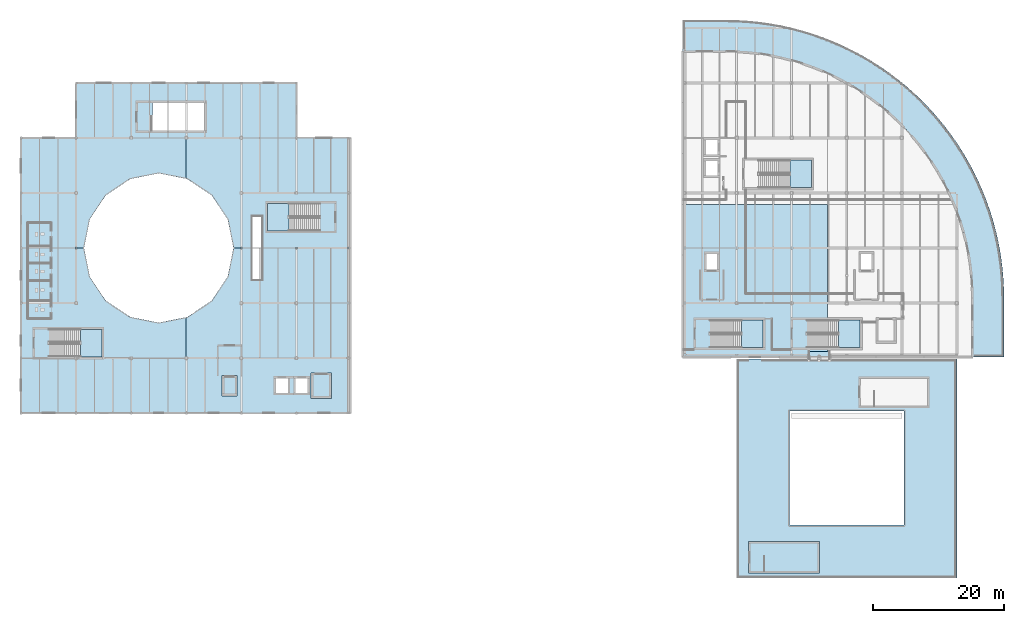
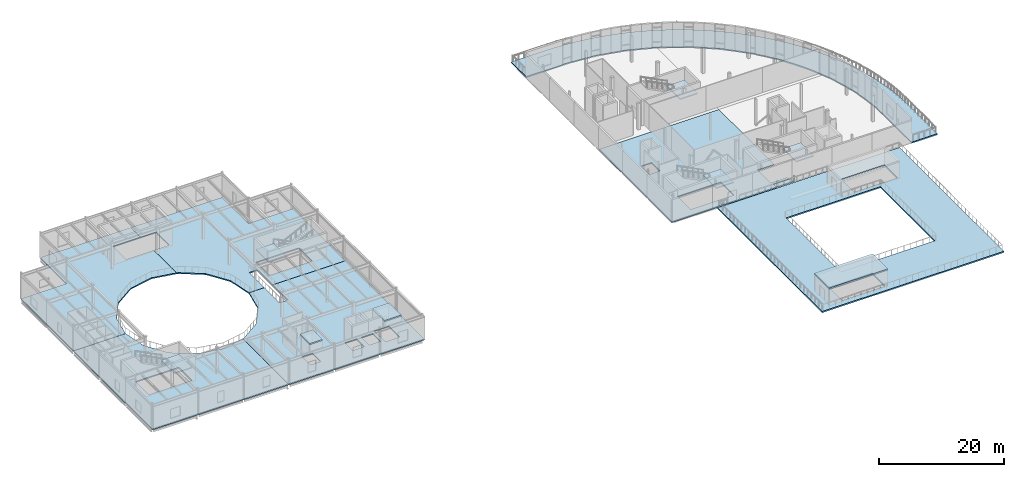
# One storey, part 30 of 57: 16 slabs, 5 elements without a shape of their own.
"""IFC4 building model written with IfcOpenShell, lengths in metres."""

from ifc_helpers import new_model, si_unit, direction, frame, origin, place, context, subcontext, project, spatial, polyline, outline, extrude, material, layer, layer_set, type_object, element, aggregate, save


model = new_model("IFC4")

# Units and contexts
model_context = context("Model", 3, precision=1e-05, world=origin(), true_north=direction((0.0, 1.0)))
body_context = subcontext(model_context, "Body", "Model", "MODEL_VIEW")
ifc_project = project(units=[si_unit("LENGTHUNIT", "METRE"), si_unit("AREAUNIT", "SQUARE_METRE"), si_unit("VOLUMEUNIT", "CUBIC_METRE"), si_unit("PLANEANGLEUNIT", "RADIAN"), si_unit("MASSUNIT", "GRAM", prefix="KILO"), si_unit("THERMODYNAMICTEMPERATUREUNIT", "KELVIN")], contexts=[model_context])

# Site, building, storey
site_placement = place(None, origin())
site = spatial("IfcSite", under=ifc_project, at=site_placement, CompositionType="ELEMENT")
building_placement = place(site_placement, origin())
building = spatial("IfcBuilding", under=site, at=building_placement, Name="Lustrewick Department Store", CompositionType="ELEMENT")
storey_placement = place(building_placement, frame((0.0, 0.0, 26.699951171875)))
storey = spatial("IfcBuildingStorey", under=building, at=storey_placement, Name="L06", CompositionType="ELEMENT", Elevation=26.699951171875)

# Slabs
ifc_material_1 = material(Name="Concrete C30", Category="concrete")
ifc_layer_1 = layer(ifc_material_1, 0.22509765625, Name="Concrete C30")
ifc_layer_set_1 = layer_set([ifc_layer_1], Name="Concrete C30")
slab_type_1 = type_object("IfcSlabType", Name="FS06", PredefinedType="FLOOR", material=ifc_layer_set_1)
slab_1_placement = place(storey_placement, frame((0.0, 0.0, -0.224853515625)))
element("IfcSlab", 1, at=slab_1_placement, inside=storey, type_object=slab_type_1, Name="L06 V1 Floor Slab FS06", PredefinedType="FLOOR", context=body_context, shape_type="SweptSolid", body=[
    extrude(outline(polyline([(8.39990234375, 42.0), (33.52490234375, 42.0), (33.52490234375, 56.62060546875), (29.39990234375, 55.800048828125), (25.037353515625, 56.667724609375), (21.339111328125, 59.138916015625), (18.867919921875, 62.83740234375), (18.0, 67.199951171875), (8.39990234375, 67.199951171875), (8.39990234375, 42.0)]), holes=[polyline([(20.699951171875, 50.60009765625), (12.719970703125, 50.60009765625), (12.719970703125, 54.800048828125), (20.699951171875, 54.800048828125), (20.699951171875, 50.60009765625)])]), origin(), (0.0, 0.0, 1.0), 0.224853515625),
])
slab_2_placement = place(storey_placement, frame((0.0, 0.0, -0.224853515625)))
element("IfcSlab", 2, at=slab_2_placement, inside=storey, type_object=slab_type_1, Name="L06 V1 Floor Slab FS06", PredefinedType="FLOOR", context=body_context, shape_type="SweptSolid", body=[
    extrude(outline(polyline([(58.64990234375, 42.0), (58.64990234375, 67.199951171875), (45.14990234375, 67.199951171875), (45.14990234375, 62.35009765625), (43.64990234375, 62.35009765625), (43.64990234375, 67.199951171875), (40.800048828125, 67.199951171875), (39.93212890625, 62.83740234375), (37.4609375, 59.138916015625), (33.7626953125, 56.667724609375), (33.52490234375, 56.62060546875), (33.52490234375, 42.0), (58.64990234375, 42.0)]), holes=[polyline([(55.550048828125, 44.449951171875), (52.85009765625, 44.449951171875), (52.85009765625, 47.949951171875), (55.550048828125, 47.949951171875), (55.550048828125, 44.449951171875)]), polyline([(52.25, 44.949951171875), (50.14990234375, 44.949951171875), (50.14990234375, 47.449951171875), (52.25, 47.449951171875), (52.25, 44.949951171875)]), polyline([(49.25, 44.949951171875), (47.14990234375, 44.949951171875), (47.14990234375, 47.449951171875), (49.25, 47.449951171875), (49.25, 44.949951171875)]), polyline([(41.14990234375, 44.85009765625), (39.25, 44.85009765625), (39.25, 47.550048828125), (41.14990234375, 47.550048828125), (41.14990234375, 44.85009765625)])]), origin(), (0.0, 0.0, 1.0), 0.224853515625),
])
slab_3_placement = place(storey_placement, frame((0.0, 0.0, -0.224853515625)))
element("IfcSlab", 3, at=slab_3_placement, inside=storey, type_object=slab_type_1, Name="L06 V1 Floor Slab FS06", PredefinedType="FLOOR", context=body_context, shape_type="SweptSolid", body=[
    extrude(outline(polyline([(8.39990234375, 84.0), (8.39990234375, 67.199951171875), (18.0, 67.199951171875), (18.867919921875, 71.5625), (21.339111328125, 75.260986328125), (25.037353515625, 77.732177734375), (29.39990234375, 78.60009765625), (33.52490234375, 77.779541015625), (33.52490234375, 85.10009765625), (28.419921875, 85.10009765625), (28.419921875, 89.300048828125), (33.52490234375, 89.300048828125), (33.52490234375, 92.39990234375), (16.800048828125, 92.39990234375), (16.800048828125, 84.0), (8.39990234375, 84.0)])), origin(), (0.0, 0.0, 1.0), 0.224853515625),
])
slab_4_placement = place(storey_placement, frame((0.0, 0.0, -0.224853515625)))
element("IfcSlab", 4, at=slab_4_placement, inside=storey, type_object=slab_type_1, Name="L06 V1 Floor Slab FS06", PredefinedType="FLOOR", context=body_context, shape_type="SweptSolid", body=[
    extrude(outline(polyline([(58.64990234375, 67.199951171875), (58.64990234375, 84.0), (50.39990234375, 84.0), (50.39990234375, 92.39990234375), (33.52490234375, 92.39990234375), (33.52490234375, 89.300048828125), (36.39990234375, 89.300048828125), (36.39990234375, 85.10009765625), (33.52490234375, 85.10009765625), (33.52490234375, 77.779541015625), (33.7626953125, 77.732177734375), (37.4609375, 75.260986328125), (39.93212890625, 71.5625), (40.800048828125, 67.199951171875), (43.64990234375, 67.199951171875), (43.64990234375, 72.050048828125), (45.14990234375, 72.050048828125), (45.14990234375, 67.199951171875), (58.64990234375, 67.199951171875)]), holes=[polyline([(46.0, 69.800048828125), (46.0, 74.0), (53.97998046875, 74.0), (53.97998046875, 69.800048828125), (46.0, 69.800048828125)])]), origin(), (0.0, 0.0, 1.0), 0.224853515625),
])
slab_5_placement = place(storey_placement, frame((0.0, 0.0, -0.224853515625)))
element("IfcSlab", 5, at=slab_5_placement, inside=storey, type_object=slab_type_1, Name="L06 V4 Floor Slab FS06", PredefinedType="FLOOR", context=body_context, shape_type="SweptSolid", body=[
    extrude(outline(polyline([(109.35009765625, 50.550048828125), (128.594970703125, 50.550048828125), (128.594970703125, 51.43505859375), (131.47509765625, 51.43505859375), (131.47509765625, 52.0), (128.419921875, 52.0), (128.419921875, 56.199951171875), (131.47509765625, 56.199951171875), (131.47509765625, 73.875), (109.35009765625, 73.875), (109.35009765625, 50.550048828125)]), holes=[polyline([(113.6201171875, 52.0), (113.6201171875, 56.199951171875), (121.60009765625, 56.199951171875), (121.60009765625, 52.0), (113.6201171875, 52.0)]), polyline([(114.75, 63.75), (112.85009765625, 63.75), (112.85009765625, 66.449951171875), (114.75, 66.449951171875), (114.75, 63.75)])]), origin(), (0.0, 0.0, 1.0), 0.224853515625),
])
ifc_layer_2 = layer(ifc_material_1, 0.215087890625, Name="Concrete C30")
ifc_layer_set_2 = layer_set([ifc_layer_2], Name="Concrete C30")
slab_type_2 = type_object("IfcSlabType", Name="FS10", PredefinedType="FLOOR", material=ifc_layer_set_2)
slab_6_placement = place(storey_placement, frame((0.0, 0.0, -0.21484375)))
element("IfcSlab", 6, at=slab_6_placement, inside=storey, type_object=slab_type_2, Name="L06 Skybridge SB34 Deck Slab", PredefinedType="FLOOR", context=body_context, shape_type="SweptSolid", body=[
    extrude(outline(polyline([(131.800048828125, 50.554931640625), (131.800048828125, 51.429931640625), (128.60009765625, 51.429931640625), (128.60009765625, 50.554931640625), (131.800048828125, 50.554931640625)])), origin(), (0.0, 0.0, 1.0), 0.21484375),
])

# Stair, slab
stair_type = type_object("IfcStairType", Name="ST-H51", PredefinedType="HALF_TURN_STAIR", material=ifc_material_1)
stair_1_placement = place(storey_placement, origin())
stair_1 = element("IfcStair", 7, at=stair_1_placement, inside=storey, type_object=stair_type, Name="L06 Smoke-Proof Exit Stair ST01", PredefinedType="HALF_TURN_STAIR")
ifc_layer_3 = layer(ifc_material_1, 0.199951171875, Name="Concrete C30")
ifc_layer_set_3 = layer_set([ifc_layer_3], Name="Concrete C30")
slab_type_3 = type_object("IfcSlabType", Name="LS01", PredefinedType="LANDING", material=ifc_layer_set_3)
slab_7_placement = place(storey_placement, frame((0.0, 0.0, 2.35009765625)))
slab_7 = element("IfcSlab", 8, at=slab_7_placement, type_object=slab_type_3, Name="ST-H51 landing 1", PredefinedType="LANDING", context=body_context, shape_type="SweptSolid", body=[
    extrude(outline(polyline([(17.449951171875, 50.60009765625), (20.699951171875, 50.60009765625), (20.699951171875, 54.800048828125), (17.449951171875, 54.800048828125), (17.449951171875, 50.60009765625)])), origin(), (0.0, 0.0, 1.0), 0.199951171875),
])
aggregate(stair_1, [slab_7])

stair_2_placement = place(storey_placement, origin())
stair_2 = element("IfcStair", 9, at=stair_2_placement, inside=storey, type_object=stair_type, Name="L06 Smoke-Proof Exit Stair ST02", PredefinedType="HALF_TURN_STAIR")
slab_8_placement = place(storey_placement, frame((0.0, 0.0, 2.35009765625)))
slab_8 = element("IfcSlab", 10, at=slab_8_placement, type_object=slab_type_3, Name="ST-H51 landing 1", PredefinedType="LANDING", context=body_context, shape_type="SweptSolid", body=[
    extrude(outline(polyline([(49.25, 74.0), (46.0, 74.0), (46.0, 69.800048828125), (49.25, 69.800048828125), (49.25, 74.0)])), origin(), (0.0, 0.0, 1.0), 0.199951171875),
])
aggregate(stair_2, [slab_8])

stair_3_placement = place(storey_placement, origin())
stair_3 = element("IfcStair", 11, at=stair_3_placement, inside=storey, type_object=stair_type, Name="L06 Smoke-Proof Exit Stair ST09", PredefinedType="HALF_TURN_STAIR")
slab_9_placement = place(storey_placement, frame((0.0, 0.0, 2.35009765625)))
slab_9 = element("IfcSlab", 12, at=slab_9_placement, type_object=slab_type_3, Name="ST-H51 landing 1", PredefinedType="LANDING", context=body_context, shape_type="SweptSolid", body=[
    extrude(outline(polyline([(118.35009765625, 52.0), (121.60009765625, 52.0), (121.60009765625, 56.199951171875), (118.35009765625, 56.199951171875), (118.35009765625, 52.0)])), origin(), (0.0, 0.0, 1.0), 0.199951171875),
])
aggregate(stair_3, [slab_9])

stair_4_placement = place(storey_placement, origin())
stair_4 = element("IfcStair", 13, at=stair_4_placement, inside=storey, type_object=stair_type, Name="L06 Smoke-Proof Exit Stair ST10", PredefinedType="HALF_TURN_STAIR")
slab_10_placement = place(storey_placement, frame((0.0, 0.0, 2.35009765625)))
slab_10 = element("IfcSlab", 14, at=slab_10_placement, type_object=slab_type_3, Name="ST-H51 landing 1", PredefinedType="LANDING", context=body_context, shape_type="SweptSolid", body=[
    extrude(outline(polyline([(125.75, 76.39990234375), (129.0, 76.39990234375), (129.0, 80.60009765625), (125.75, 80.60009765625), (125.75, 76.39990234375)])), origin(), (0.0, 0.0, 1.0), 0.199951171875),
])
aggregate(stair_4, [slab_10])

stair_5_placement = place(storey_placement, origin())
stair_5 = element("IfcStair", 15, at=stair_5_placement, inside=storey, type_object=stair_type, Name="L06 Smoke-Proof Exit Stair ST11", PredefinedType="HALF_TURN_STAIR")
slab_11_placement = place(storey_placement, frame((0.0, 0.0, 2.35009765625)))
slab_11 = element("IfcSlab", 16, at=slab_11_placement, type_object=slab_type_3, Name="ST-H51 landing 1", PredefinedType="LANDING", context=body_context, shape_type="SweptSolid", body=[
    extrude(outline(polyline([(133.14990234375, 52.0), (136.39990234375, 52.0), (136.39990234375, 56.199951171875), (133.14990234375, 56.199951171875), (133.14990234375, 52.0)])), origin(), (0.0, 0.0, 1.0), 0.199951171875),
])
aggregate(stair_5, [slab_11])

# Slabs
ifc_material_2 = material(Name="Concrete C35", Category="concrete")
ifc_layer_4 = layer(ifc_material_2, 0.26806640625, Name="Concrete C35")
ifc_layer_set_4 = layer_set([ifc_layer_4], Name="Concrete C35")
slab_type_4 = type_object("IfcSlabType", Name="RS02", PredefinedType="ROOF", material=ifc_layer_set_4)
slab_12_placement = place(storey_placement, frame((0.0, 0.0, 3.199951171875)))
element("IfcSlab", 17, at=slab_12_placement, inside=storey, type_object=slab_type_4, Name="L06 Stair ST07 Head-House Roof Slab", PredefinedType="ROOF", context=body_context, shape_type="SweptSolid", body=[
    extrude(outline(polyline([(130.219970703125, 17.580078125), (130.219970703125, 22.419921875), (119.3798828125, 22.419921875), (119.3798828125, 17.580078125), (130.219970703125, 17.580078125)])), origin(), (0.0, 0.0, 1.0), 0.26806640625),
])
slab_13_placement = place(storey_placement, frame((0.0, 0.0, 4.094970703125)))
element("IfcSlab", 18, at=slab_13_placement, inside=storey, type_object=slab_type_4, Name="L06 Lift FFL-01 Overrun Cap Slab", PredefinedType="ROOF", context=body_context, shape_type="SweptSolid", body=[
    extrude(outline(polyline([(41.360107421875, 44.639892578125), (41.360107421875, 47.760009765625), (39.0400390625, 47.760009765625), (39.0400390625, 44.639892578125), (41.360107421875, 44.639892578125)])), origin(), (0.0, 0.0, 1.0), 0.26806640625),
])
slab_14_placement = place(storey_placement, frame((0.0, 0.0, 4.094970703125)))
element("IfcSlab", 19, at=slab_14_placement, inside=storey, type_object=slab_type_4, Name="L06 Lift GL-01 Overrun Cap Slab", PredefinedType="ROOF", context=body_context, shape_type="SweptSolid", body=[
    extrude(outline(polyline([(55.760009765625, 44.239990234375), (55.760009765625, 48.159912109375), (52.639892578125, 48.159912109375), (52.639892578125, 44.239990234375), (55.760009765625, 44.239990234375)])), origin(), (0.0, 0.0, 1.0), 0.26806640625),
])
ifc_layer_5 = layer(ifc_material_2, 0.2451171875, Name="Concrete C35")
ifc_layer_set_5 = layer_set([ifc_layer_5], Name="Concrete C35")
slab_type_5 = type_object("IfcSlabType", Name="TS01", PredefinedType="FLOOR", material=ifc_layer_set_5)
slab_15_placement = place(storey_placement, frame((0.0, 0.0, -0.244873046875)))
element("IfcSlab", 20, at=slab_15_placement, inside=storey, type_object=slab_type_5, Name="L06 V4 Stepped Planted Terrace TS01", PredefinedType="FLOOR", context=body_context, shape_type="SweptSolid", body=[
    extrude(outline(polyline([(109.35009765625, 102.0), (109.35009765625, 97.199951171875), (116.0, 97.199951171875), (117.68701171875, 97.162109375), (119.370361328125, 97.048583984375), (121.047119140625, 96.859619140625), (122.713623046875, 96.595703125), (124.36669921875, 96.25732421875), (126.0029296875, 95.844970703125), (127.618896484375, 95.359619140625), (129.211669921875, 94.802490234375), (130.777587890625, 94.17431640625), (132.31396484375, 93.476318359375), (133.8173828125, 92.71044921875), (135.284912109375, 91.877685546875), (136.713623046875, 90.97998046875), (138.1005859375, 90.01904296875), (139.443115234375, 88.996826171875), (140.738525390625, 87.91552734375), (141.98388671875, 86.777099609375), (143.177001953125, 85.583984375), (144.3154296875, 84.33837890625), (145.39697265625, 83.043212890625), (146.4189453125, 81.70068359375), (147.3798828125, 80.313720703125), (148.277587890625, 78.885009765625), (149.1103515625, 77.41748046875), (149.87646484375, 75.9140625), (150.57421875, 74.377685546875), (151.202392578125, 72.811767578125), (151.759765625, 71.218994140625), (152.2451171875, 69.60302734375), (152.6572265625, 67.966796875), (152.995849609375, 66.313720703125), (153.259765625, 64.647216796875), (153.448486328125, 62.970458984375), (153.56201171875, 61.286865234375), (153.60009765625, 59.60009765625), (153.60009765625, 50.550048828125), (158.39990234375, 50.550048828125), (158.39990234375, 59.60009765625), (158.3671875, 61.2646484375), (158.269287109375, 62.9267578125), (158.106201171875, 64.58349609375), (157.8779296875, 66.23291015625), (157.585205078125, 67.871826171875), (157.228515625, 69.498046875), (156.80810546875, 71.109130859375), (156.32470703125, 72.702392578125), (155.779296875, 74.275390625), (155.172607421875, 75.82568359375), (154.50537109375, 77.351318359375), (153.77880859375, 78.84912109375), (152.993896484375, 80.3173828125), (152.15185546875, 81.75390625), (151.25439453125, 83.15625), (150.30224609375, 84.522216796875), (149.29736328125, 85.849609375), (148.2412109375, 87.13671875), (147.13525390625, 88.381103515625), (145.981201171875, 89.581298828125), (144.78125, 90.7353515625), (143.53662109375, 91.84130859375), (142.24951171875, 92.8974609375), (140.922119140625, 93.90234375), (139.55615234375, 94.854248046875), (138.15380859375, 95.751953125), (136.717529296875, 96.59375), (135.249267578125, 97.378662109375), (133.751220703125, 98.105224609375), (132.225830078125, 98.7724609375), (130.67529296875, 99.37939453125), (129.102294921875, 99.9248046875), (127.509033203125, 100.408203125), (125.898193359375, 100.82861328125), (124.271728515625, 101.185302734375), (122.6328125, 101.47802734375), (120.983642578125, 101.7060546875), (119.32666015625, 101.869384765625), (117.66455078125, 101.96728515625), (116.0, 102.0), (109.35009765625, 102.0)])), origin(), (0.0, 0.0, 1.0), 0.244873046875),
])
ifc_layer_6 = layer(ifc_material_2, 0.2548828125, Name="Concrete C35")
ifc_layer_set_6 = layer_set([ifc_layer_6], Name="Concrete C35")
slab_type_6 = type_object("IfcSlabType", Name="TS02", PredefinedType="FLOOR", material=ifc_layer_set_6)
slab_16_placement = place(storey_placement, frame((0.0, 0.0, -0.2548828125)))
element("IfcSlab", 21, at=slab_16_placement, inside=storey, type_object=slab_type_6, Name="L06 V3_REF Fire Refuge Deck TS02", PredefinedType="FLOOR", context=body_context, shape_type="SweptSolid", body=[
    extrude(outline(polyline([(117.60009765625, 16.800048828125), (151.199951171875, 16.800048828125), (151.199951171875, 50.25), (117.60009765625, 50.25), (117.60009765625, 16.800048828125)]), holes=[polyline([(143.10009765625, 42.300048828125), (143.10009765625, 24.89990234375), (125.699951171875, 24.89990234375), (125.699951171875, 42.300048828125), (143.10009765625, 42.300048828125)]), polyline([(129.89990234375, 17.89990234375), (121.919921875, 17.89990234375), (121.919921875, 22.10009765625), (129.89990234375, 22.10009765625), (129.89990234375, 17.89990234375)]), polyline([(146.699951171875, 43.10009765625), (138.719970703125, 43.10009765625), (138.719970703125, 47.300048828125), (146.699951171875, 47.300048828125), (146.699951171875, 43.10009765625)])]), origin(), (0.0, 0.0, 1.0), 0.2548828125),
])

save(model, "model.ifc")
